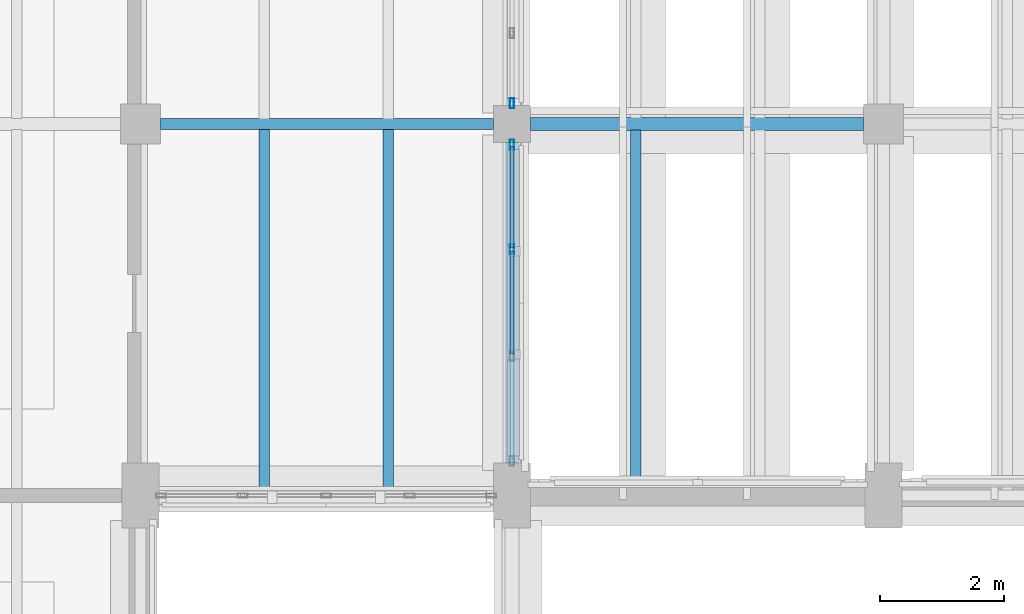
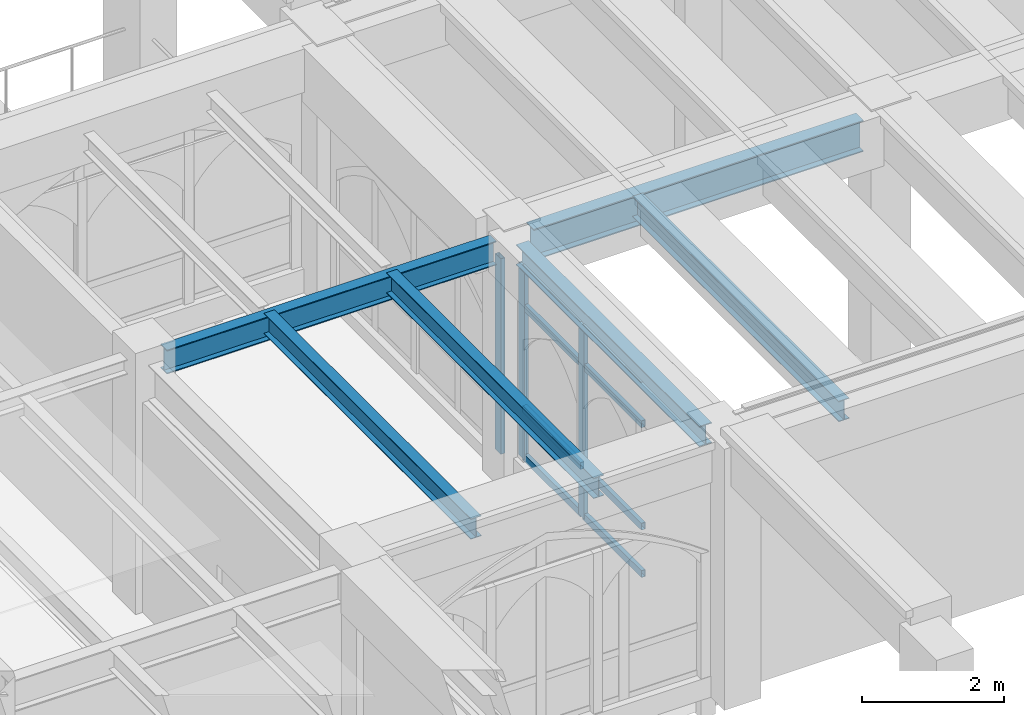
# One storey, part 53 of 127: 11 members, 6 beams, 2 elements without a shape of their own.
"""IFC4 building model written with IfcOpenShell, lengths in metres."""

from ifc_helpers import new_model, si_unit, direction, frame, origin, origin_2d, place, context, subcontext, project, spatial, hollow_rectangle, i_section, extrude, material, layer, layer_set, material_profile, profile_set, type_object, element, aggregate, save


model = new_model("IFC4")

# Units and contexts
model_context = context("Model", 3, precision=1e-05, world=origin(), true_north=direction((0.0, 1.0)))
body_context = subcontext(model_context, "Body", "Model", "MODEL_VIEW")
ifc_project = project(units=[si_unit("LENGTHUNIT", "METRE"), si_unit("AREAUNIT", "SQUARE_METRE"), si_unit("VOLUMEUNIT", "CUBIC_METRE"), si_unit("PLANEANGLEUNIT", "RADIAN"), si_unit("MASSUNIT", "GRAM", prefix="KILO")], contexts=[model_context])

# Site, building, storey
site_placement = place(None, origin())
site = spatial("IfcSite", under=ifc_project, at=site_placement, CompositionType="ELEMENT")
building_placement = place(site_placement, origin())
building = spatial("IfcBuilding", under=site, at=building_placement, Name="Cumevento Cable Car Station", CompositionType="ELEMENT")
storey_placement = place(building_placement, frame((0.0, 0.0, 4.5)))
storey = spatial("IfcBuildingStorey", under=building, at=storey_placement, Name="L02", CompositionType="ELEMENT", Elevation=4.5)

# Curtain wall, members
ifc_material_1 = material(Name="Anodised Bronze Aluminium AW-6063-T6", Category="aluminium")
ifc_layer_1 = layer(ifc_material_1, 0.25)
ifc_layer_set_1 = layer_set([ifc_layer_1], Name="Anodised Bronze Aluminium AW-6063-T6")
curtain_wall_type_1 = type_object("IfcCurtainWallType", Name="Lancet Curtain Wall CW-16 1650", PredefinedType="NOTDEFINED", material=ifc_layer_set_1)
curtain_wall_1_placement = place(storey_placement, origin())
curtain_wall_1 = element("IfcCurtainWall", 1, at=curtain_wall_1_placement, inside=storey, type_object=curtain_wall_type_1, Name="Lancet Curtain Wall CW-16 L02 #63", PredefinedType="NOTDEFINED")
ifc_material_2 = material(Name="Anodised Bronze Aluminium AW-6063-T6", Category="aluminium")
ifc_material_profile_1 = material_profile(ifc_material_2, hollow_rectangle(XDim=0.06494140625, YDim=0.159912109375, WallThickness=0.00390625, at=origin_2d()), Name="ALUM65x160x4")
ifc_profile_set_1 = profile_set([ifc_material_profile_1], Name="Anodised Bronze Aluminium AW-6063-T6")
member_type_1 = type_object("IfcMemberType", Name="Curtain Mullion CWM-01 ALUM65x160x4", PredefinedType="MULLION", material=ifc_profile_set_1)
member_1_placement = place(storey_placement, frame((88.0, 50.66748046875, 0.52001953125), z_axis=(0.0, 0.0, 1.0), x_axis=(1.0, 0.0, 0.0)))
member_1 = element("IfcMember", 2, at=member_1_placement, type_object=member_type_1, Name="CW-16 mullion 1", PredefinedType="MULLION", context=body_context, shape_type="SweptSolid", body=[
    extrude(hollow_rectangle(XDim=0.06494140625, YDim=0.159912109375, WallThickness=0.00390625, at=origin_2d()), origin(), (0.0, 0.0, 1.0), 3.31591796875),
])
member_2_placement = place(storey_placement, frame((88.0, 48.97509765625, 0.52001953125), z_axis=(0.0, 0.0, 1.0), x_axis=(1.0, 0.0, 0.0)))
member_2 = element("IfcMember", 3, at=member_2_placement, type_object=member_type_1, Name="CW-16 mullion 2", PredefinedType="MULLION", context=body_context, shape_type="SweptSolid", body=[
    extrude(hollow_rectangle(XDim=0.06494140625, YDim=0.159912109375, WallThickness=0.00390625, at=origin_2d()), origin(), (0.0, 0.0, 1.0), 3.31591796875),
])

# Curtain wall, member
ifc_material_3 = material(Name="Anodised Bronze Aluminium AW-6063-T6", Category="aluminium")
ifc_layer_2 = layer(ifc_material_3, 0.166015625)
ifc_layer_set_2 = layer_set([ifc_layer_2], Name="Anodised Bronze Aluminium AW-6063-T6")
curtain_wall_type_2 = type_object("IfcCurtainWallType", Name="Lancet Curtain Wall CW-02 1090", PredefinedType="NOTDEFINED", material=ifc_layer_set_2)
curtain_wall_2_placement = place(storey_placement, origin())
curtain_wall_2 = element("IfcCurtainWall", 4, at=curtain_wall_2_placement, inside=storey, type_object=curtain_wall_type_2, Name="Lancet Curtain Wall CW-02 L02 #65", PredefinedType="NOTDEFINED")
member_3_placement = place(storey_placement, frame((88.0, 51.33251953125, 0.2099609375), z_axis=(0.0, 0.0, 1.0), x_axis=(1.0, 0.0, 0.0)))
member_3 = element("IfcMember", 5, at=member_3_placement, type_object=member_type_1, Name="CW-02 mullion 5", PredefinedType="MULLION", context=body_context, shape_type="SweptSolid", body=[
    extrude(hollow_rectangle(XDim=0.06494140625, YDim=0.159912109375, WallThickness=0.00390625, at=origin_2d()), origin(), (0.0, 0.0, 1.0), 3.3720703125),
])
aggregate(curtain_wall_2, [member_3])

# Member
ifc_material_4 = material(Name="Anodised Bronze Aluminium AW-6063-T6", Category="aluminium")
ifc_material_profile_2 = material_profile(ifc_material_4, hollow_rectangle(XDim=0.06494140625, YDim=0.1201171875, WallThickness=0.00390625, at=origin_2d()), Name="ALUT65x120x4")
ifc_profile_set_2 = profile_set([ifc_material_profile_2], Name="Anodised Bronze Aluminium AW-6063-T6")
member_type_2 = type_object("IfcMemberType", Name="Curtain Transom CWT-01 ALUT65x120x4", PredefinedType="USERDEFINED", material=ifc_profile_set_2)
member_4_placement = place(storey_placement, frame((88.0, 50.635009765625, 0.552490234375), z_axis=(0.0, -1.0, 0.0), x_axis=(1.0, 0.0, 0.0)))
member_4 = element("IfcMember", 6, at=member_4_placement, type_object=member_type_2, Name="CW-16 transom 1.1", ObjectType="TRANSOM", PredefinedType="USERDEFINED", context=body_context, shape_type="SweptSolid", body=[
    extrude(hollow_rectangle(XDim=0.06494140625, YDim=0.1201171875, WallThickness=0.00390625, at=origin_2d()), origin(), (0.0, 0.0, 1.0), 1.62744140625),
])

member_5_placement = place(storey_placement, frame((88.0, 50.635009765625, 1.3701171875), z_axis=(0.0, -1.0, 0.0), x_axis=(1.0, 0.0, 0.0)))
member_5 = element("IfcMember", 7, at=member_5_placement, type_object=member_type_2, Name="CW-16 transom 1.2", ObjectType="TRANSOM", PredefinedType="USERDEFINED", context=body_context, shape_type="SweptSolid", body=[
    extrude(hollow_rectangle(XDim=0.06494140625, YDim=0.1201171875, WallThickness=0.00390625, at=origin_2d()), origin(), (0.0, 0.0, 1.0), 1.62744140625),
])

member_6_placement = place(storey_placement, frame((88.0, 50.635009765625, 3.135986328125), z_axis=(0.0, -1.0, 0.0), x_axis=(1.0, 0.0, 0.0)))
member_6 = element("IfcMember", 8, at=member_6_placement, type_object=member_type_2, Name="CW-16 transom 1.3", ObjectType="TRANSOM", PredefinedType="USERDEFINED", context=body_context, shape_type="SweptSolid", body=[
    extrude(hollow_rectangle(XDim=0.06494140625, YDim=0.1201171875, WallThickness=0.00390625, at=origin_2d()), origin(), (0.0, 0.0, 1.0), 1.62744140625),
])

member_7_placement = place(storey_placement, frame((88.0, 50.635009765625, 3.803466796875), z_axis=(0.0, -1.0, 0.0), x_axis=(1.0, 0.0, 0.0)))
member_7 = element("IfcMember", 9, at=member_7_placement, type_object=member_type_2, Name="CW-16 transom 1.4", ObjectType="TRANSOM", PredefinedType="USERDEFINED", context=body_context, shape_type="SweptSolid", body=[
    extrude(hollow_rectangle(XDim=0.06494140625, YDim=0.1201171875, WallThickness=0.00390625, at=origin_2d()), origin(), (0.0, 0.0, 1.0), 1.62744140625),
])

member_8_placement = place(storey_placement, frame((88.0, 48.9423828125, 0.552490234375), z_axis=(0.0, -1.0, 0.0), x_axis=(1.0, 0.0, 0.0)))
member_8 = element("IfcMember", 10, at=member_8_placement, type_object=member_type_2, Name="CW-16 transom 2.1", ObjectType="TRANSOM", PredefinedType="USERDEFINED", context=body_context, shape_type="SweptSolid", body=[
    extrude(hollow_rectangle(XDim=0.06494140625, YDim=0.1201171875, WallThickness=0.00390625, at=origin_2d()), origin(), (0.0, 0.0, 1.0), 1.659912109375),
])

member_9_placement = place(storey_placement, frame((88.0, 48.9423828125, 1.3701171875), z_axis=(0.0, -1.0, 0.0), x_axis=(1.0, 0.0, 0.0)))
member_9 = element("IfcMember", 11, at=member_9_placement, type_object=member_type_2, Name="CW-16 transom 2.2", ObjectType="TRANSOM", PredefinedType="USERDEFINED", context=body_context, shape_type="SweptSolid", body=[
    extrude(hollow_rectangle(XDim=0.06494140625, YDim=0.1201171875, WallThickness=0.00390625, at=origin_2d()), origin(), (0.0, 0.0, 1.0), 1.659912109375),
])

member_10_placement = place(storey_placement, frame((88.0, 48.9423828125, 3.135986328125), z_axis=(0.0, -1.0, 0.0), x_axis=(1.0, 0.0, 0.0)))
member_10 = element("IfcMember", 12, at=member_10_placement, type_object=member_type_2, Name="CW-16 transom 2.3", ObjectType="TRANSOM", PredefinedType="USERDEFINED", context=body_context, shape_type="SweptSolid", body=[
    extrude(hollow_rectangle(XDim=0.06494140625, YDim=0.1201171875, WallThickness=0.00390625, at=origin_2d()), origin(), (0.0, 0.0, 1.0), 1.659912109375),
])

member_11_placement = place(storey_placement, frame((88.0, 48.9423828125, 3.803466796875), z_axis=(0.0, -1.0, 0.0), x_axis=(1.0, 0.0, 0.0)))
member_11 = element("IfcMember", 13, at=member_11_placement, type_object=member_type_2, Name="CW-16 transom 2.4", ObjectType="TRANSOM", PredefinedType="USERDEFINED", context=body_context, shape_type="SweptSolid", body=[
    extrude(hollow_rectangle(XDim=0.06494140625, YDim=0.1201171875, WallThickness=0.00390625, at=origin_2d()), origin(), (0.0, 0.0, 1.0), 1.659912109375),
])

aggregate(curtain_wall_1, [member_1, member_2, member_4, member_5, member_6, member_7, member_8, member_9, member_10, member_11])

# Beams
ifc_material_5 = material(Name="Steel ASTM A572 Grade 50", Category="steel")
ifc_material_profile_3 = material_profile(ifc_material_5, i_section(OverallWidth=0.205078125, OverallDepth=0.35400390625, WebThickness=0.009521484375, FlangeThickness=0.016845703125, at=origin_2d()), Name="W360x79.0")
ifc_profile_set_3 = profile_set([ifc_material_profile_3], Name="Steel ASTM A572 Grade 50")
beam_type_1 = type_object("IfcBeamType", Name="Structural Beam BM-05 W360x79.0", PredefinedType="BEAM", material=ifc_profile_set_3)
beam_1_placement = place(storey_placement, frame((88.0, 45.52490234375, 4.012939453125), z_axis=(0.0, 1.0, 0.0), x_axis=(-1.0, 0.0, 0.0)))
element("IfcBeam", 14, at=beam_1_placement, inside=storey, type_object=beam_type_1, Name="Beam BM-05 L02 #609", PredefinedType="BEAM", context=body_context, shape_type="SweptSolid", body=[
    extrude(i_section(OverallWidth=0.205078125, OverallDepth=0.35400390625, WebThickness=0.009521484375, FlangeThickness=0.016845703125, at=origin_2d()), origin(), (0.0, 0.0, 1.0), 5.175048828125),
])
ifc_material_6 = material(Name="Steel ASTM A572 Grade 50", Category="steel")
ifc_material_profile_4 = material_profile(ifc_material_6, i_section(OverallWidth=0.179931640625, OverallDepth=0.4130859375, WebThickness=0.009765625, FlangeThickness=0.01611328125, at=origin_2d()), Name="W410x74.0")
ifc_profile_set_4 = profile_set([ifc_material_profile_4], Name="Steel ASTM A572 Grade 50")
beam_type_2 = type_object("IfcBeamType", Name="Structural Beam BM-09 W410x74.0", PredefinedType="BEAM", material=ifc_profile_set_4)
beam_2_placement = place(storey_placement, frame((82.324951171875, 51.0, 3.9833984375), z_axis=(1.0, 0.0, 0.0), x_axis=(0.0, 1.0, 0.0)))
element("IfcBeam", 15, at=beam_2_placement, inside=storey, type_object=beam_type_2, Name="Beam BM-09 L02 #598", PredefinedType="BEAM", context=body_context, shape_type="SweptSolid", body=[
    extrude(i_section(OverallWidth=0.179931640625, OverallDepth=0.4130859375, WebThickness=0.009765625, FlangeThickness=0.01611328125, at=origin_2d()), origin(), (0.0, 0.0, 1.0), 5.375),
])
ifc_material_7 = material(Name="Steel ASTM A572 Grade 50", Category="steel")
ifc_material_profile_5 = material_profile(ifc_material_7, i_section(OverallWidth=0.2109375, OverallDepth=0.5390625, WebThickness=0.01171875, FlangeThickness=0.018798828125, at=origin_2d()), Name="W530x109.0")
ifc_profile_set_5 = profile_set([ifc_material_profile_5], Name="Steel ASTM A572 Grade 50")
beam_type_3 = type_object("IfcBeamType", Name="Structural Beam BM-11 W530x109.0", PredefinedType="BEAM", material=ifc_profile_set_5)
beam_3_placement = place(storey_placement, frame((88.300048828125, 51.0, 3.92041015625), z_axis=(1.0, 0.0, 0.0), x_axis=(0.0, 1.0, 0.0)))
element("IfcBeam", 16, at=beam_3_placement, inside=storey, type_object=beam_type_3, Name="Beam BM-11 L02 #616", PredefinedType="BEAM", context=body_context, shape_type="SweptSolid", body=[
    extrude(i_section(OverallWidth=0.2109375, OverallDepth=0.5390625, WebThickness=0.01171875, FlangeThickness=0.018798828125, at=origin_2d()), origin(), (0.0, 0.0, 1.0), 5.375),
])
ifc_material_8 = material(Name="Steel ASTM A572 Grade 50", Category="steel")
ifc_material_profile_6 = material_profile(ifc_material_8, i_section(OverallWidth=0.1708984375, OverallDepth=0.35498046875, WebThickness=0.007080078125, FlangeThickness=0.01171875, at=origin_2d()), Name="W360x51.0")
ifc_profile_set_6 = profile_set([ifc_material_profile_6], Name="Steel ASTM A572 Grade 50")
beam_type_4 = type_object("IfcBeamType", Name="Structural Joist JS-01 W360x51.0", PredefinedType="JOIST", material=ifc_profile_set_6)
for number, where, z_axis, x_axis, name in (
    (17, (84.0, 45.076904296875, 4.08642578125), (0.0, 1.0, 0.0), (-1.0, 0.0, 0.0), "Composite Floor Joist JS-01 L02 #830"),
    (18, (86.0, 45.076904296875, 4.08642578125), (0.0, 1.0, 0.0), (-1.0, 0.0, 0.0), "Composite Floor Joist JS-01 L02 #832"),
):
    element("IfcBeam", number, at=place(storey_placement, frame(where, z_axis=z_axis, x_axis=x_axis)), inside=storey, type_object=beam_type_4, Name=name, PredefinedType="JOIST", context=body_context, shape_type="SweptSolid", body=[
        extrude(i_section(OverallWidth=0.1708984375, OverallDepth=0.35498046875, WebThickness=0.007080078125, FlangeThickness=0.01171875, at=origin_2d()), origin(), (0.0, 0.0, 1.0), 5.84521484375),
    ])
beam_4_placement = place(storey_placement, frame((90.0, 45.076904296875, 4.012451171875), z_axis=(0.0, 1.0, 0.0), x_axis=(-1.0, 0.0, 0.0)))
element("IfcBeam", 19, at=beam_4_placement, inside=storey, type_object=beam_type_4, Name="Composite Floor Joist JS-01 L02 #834", PredefinedType="JOIST", context=body_context, shape_type="SweptSolid", body=[
    extrude(i_section(OverallWidth=0.1708984375, OverallDepth=0.35498046875, WebThickness=0.007080078125, FlangeThickness=0.01171875, at=origin_2d()), origin(), (0.0, 0.0, 1.0), 5.82958984375),
])

save(model, "model.ifc")
